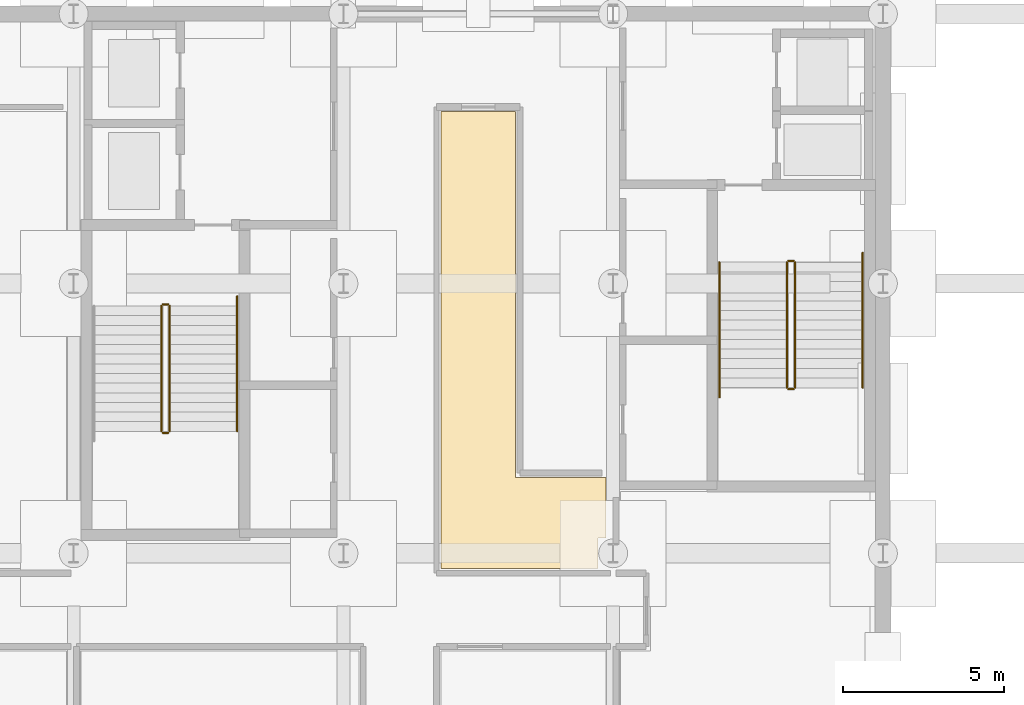
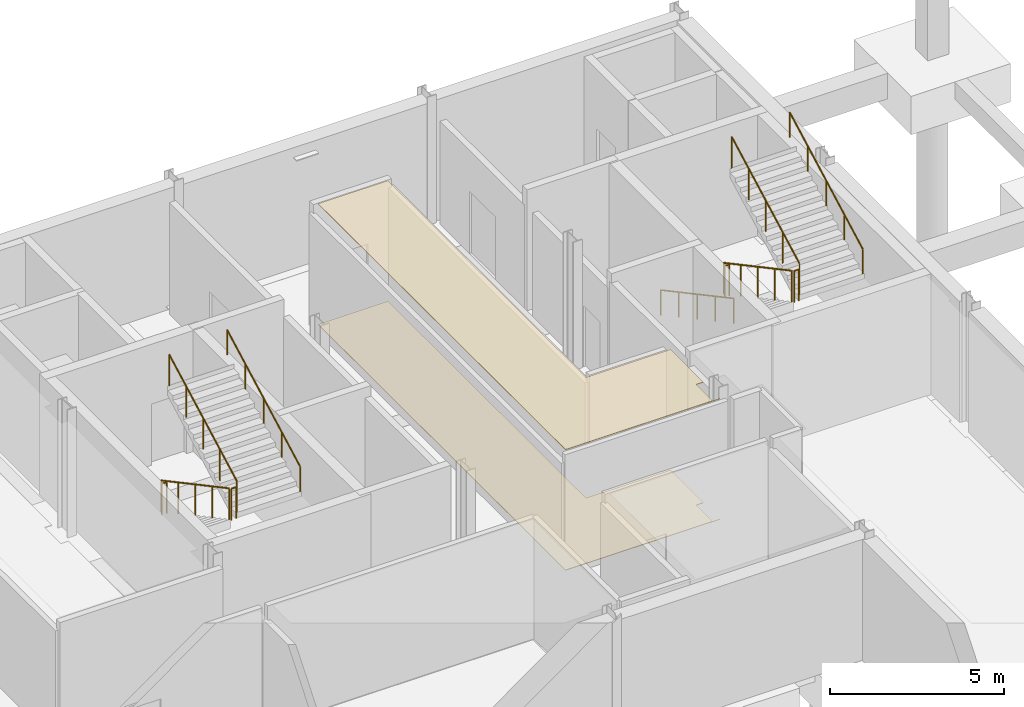
# One storey, part 42 of 43: 11 railings, 2 coverings.
"""IFC4 building model written with IfcOpenShell, lengths in metres."""

from ifc_helpers import new_model, si_unit, direction, frame, origin, origin_2d, place, context, subcontext, project, spatial, polyline, circle, outline, extrude, material, layer, layer_set, type_object, element, save


model = new_model("IFC4")

# Units and contexts
model_context = context("Model", 3, precision=1e-05, world=origin(), true_north=direction((0.0, 1.0)))
body_context = subcontext(model_context, "Body", "Model", "MODEL_VIEW")
ifc_project = project(units=[si_unit("LENGTHUNIT", "METRE"), si_unit("AREAUNIT", "SQUARE_METRE"), si_unit("VOLUMEUNIT", "CUBIC_METRE"), si_unit("PLANEANGLEUNIT", "RADIAN"), si_unit("MASSUNIT", "GRAM", prefix="KILO")], contexts=[model_context])

# Site, building, storey
site_placement = place(None, origin())
site = spatial("IfcSite", under=ifc_project, at=site_placement, CompositionType="ELEMENT")
building_placement = place(site_placement, origin())
building = spatial("IfcBuilding", under=site, at=building_placement, Name="Mersafa Astral City Hall", CompositionType="ELEMENT")
storey_placement = place(building_placement, frame((0.0, 0.0, -4.5)))
storey = spatial("IfcBuildingStorey", under=building, at=storey_placement, Name="B1", CompositionType="ELEMENT", Elevation=-4.5)

# Railings
ifc_material_1 = material(Name="Painted architectural steel stair guard balustrade", Category="steel")
railing_type_1 = type_object("IfcRailingType", Name="GUARD-RAIL", PredefinedType="BALUSTRADE", material=ifc_material_1)
railing_1_placement = place(storey_placement, frame((153.929931640625, 116.89990234375, 0.16064453125)))
element("IfcRailing", 1, at=railing_1_placement, inside=storey, type_object=railing_type_1, Name="B1 ST1 stair guard 1", PredefinedType="BALUSTRADE", context=body_context, shape_type="SweptSolid", body=[
    extrude(circle(Radius=0.02392578125, at=origin_2d()), frame((0.0, 0.0, 1.09619140625), z_axis=(0.0, -0.881468485026, 0.472242850561), x_axis=(1.0, 0.0, 0.0)), (0.0, 0.0, 1.0), 4.42431640625),
    extrude(circle(Radius=0.02099609375, at=origin_2d()), origin(), (0.0, 0.0, 1.0), 1.072021484375),
    extrude(circle(Radius=0.02099609375, at=origin_2d()), frame((0.0, -0.97509765625, 0.5224609375)), (0.0, 0.0, 1.0), 1.072021484375),
    extrude(circle(Radius=0.02099609375, at=origin_2d()), frame((0.0, -1.949951171875, 1.044677734375)), (0.0, 0.0, 1.0), 1.072021484375),
    extrude(circle(Radius=0.02099609375, at=origin_2d()), frame((0.0, -2.9248046875, 1.56689453125)), (0.0, 0.0, 1.0), 1.072021484375),
    extrude(circle(Radius=0.02099609375, at=origin_2d()), frame((0.0, -3.89990234375, 2.08935546875)), (0.0, 0.0, 1.0), 1.072021484375),
])
railing_2_placement = place(storey_placement, frame((153.97998046875, 112.949951171875, 2.25)))
element("IfcRailing", 2, at=railing_2_placement, inside=storey, type_object=railing_type_1, Name="B1 ST1 stair guard 2", PredefinedType="BALUSTRADE", context=body_context, shape_type="SweptSolid", body=[
    extrude(circle(Radius=0.02392578125, at=origin_2d()), frame((0.0, 0.0, 1.09619140625), z_axis=(1.0, 0.0, 0.0), x_axis=(0.0, 1.0, 0.0)), (0.0, 0.0, 1.0), 0.159912109375),
    extrude(circle(Radius=0.02099609375, at=origin_2d()), origin(), (0.0, 0.0, 1.0), 1.072021484375),
    extrude(circle(Radius=0.02099609375, at=origin_2d()), frame((0.159912109375, 0.0, 0.0)), (0.0, 0.0, 1.0), 1.072021484375),
])
railing_3_placement = place(storey_placement, frame((154.18994140625, 113.0, 2.41064453125)))
element("IfcRailing", 3, at=railing_3_placement, inside=storey, type_object=railing_type_1, Name="B1 ST1 stair guard 3", PredefinedType="BALUSTRADE", context=body_context, shape_type="SweptSolid", body=[
    extrude(circle(Radius=0.02392578125, at=origin_2d()), frame((0.0, 0.0, 1.09619140625), z_axis=(0.0, 0.881468485026, 0.472242850561), x_axis=(-1.0, 0.0, 0.0)), (0.0, 0.0, 1.0), 4.42431640625),
    extrude(circle(Radius=0.02099609375, at=origin_2d()), origin(), (0.0, 0.0, 1.0), 1.072021484375),
    extrude(circle(Radius=0.02099609375, at=origin_2d()), frame((0.0, 0.97509765625, 0.5224609375)), (0.0, 0.0, 1.0), 1.072021484375),
    extrude(circle(Radius=0.02099609375, at=origin_2d()), frame((0.0, 1.949951171875, 1.044677734375)), (0.0, 0.0, 1.0), 1.072021484375),
    extrude(circle(Radius=0.02099609375, at=origin_2d()), frame((0.0, 2.9248046875, 1.56689453125)), (0.0, 0.0, 1.0), 1.072021484375),
    extrude(circle(Radius=0.02099609375, at=origin_2d()), frame((0.0, 3.89990234375, 2.08935546875)), (0.0, 0.0, 1.0), 1.072021484375),
])
railing_4_placement = place(storey_placement, frame((153.97998046875, 116.949951171875, 0.0)))
element("IfcRailing", 4, at=railing_4_placement, inside=storey, type_object=railing_type_1, Name="B1 ST1 stair guard 4", PredefinedType="BALUSTRADE", context=body_context, shape_type="SweptSolid", body=[
    extrude(circle(Radius=0.02392578125, at=origin_2d()), frame((0.0, 0.0, 1.09619140625), z_axis=(1.0, 0.0, 0.0), x_axis=(0.0, 1.0, 0.0)), (0.0, 0.0, 1.0), 0.159912109375),
    extrude(circle(Radius=0.02099609375, at=origin_2d()), origin(), (0.0, 0.0, 1.0), 1.072021484375),
    extrude(circle(Radius=0.02099609375, at=origin_2d()), frame((0.159912109375, 0.0, 0.0)), (0.0, 0.0, 1.0), 1.072021484375),
])
railing_5_placement = place(storey_placement, frame((173.409912109375, 118.260009765625, 0.16064453125)))
element("IfcRailing", 5, at=railing_5_placement, inside=storey, type_object=railing_type_1, Name="B1 ST2 stair guard 1", PredefinedType="BALUSTRADE", context=body_context, shape_type="SweptSolid", body=[
    extrude(circle(Radius=0.02392578125, at=origin_2d()), frame((0.0, 0.0, 1.09619140625), z_axis=(0.0, -0.881468485026, 0.472242850561), x_axis=(1.0, 0.0, 0.0)), (0.0, 0.0, 1.0), 4.42431640625),
    extrude(circle(Radius=0.02099609375, at=origin_2d()), origin(), (0.0, 0.0, 1.0), 1.072021484375),
    extrude(circle(Radius=0.02099609375, at=origin_2d()), frame((0.0, -0.97509765625, 0.5224609375)), (0.0, 0.0, 1.0), 1.072021484375),
    extrude(circle(Radius=0.02099609375, at=origin_2d()), frame((0.0, -1.949951171875, 1.044677734375)), (0.0, 0.0, 1.0), 1.072021484375),
    extrude(circle(Radius=0.02099609375, at=origin_2d()), frame((0.0, -2.9248046875, 1.56689453125)), (0.0, 0.0, 1.0), 1.072021484375),
    extrude(circle(Radius=0.02099609375, at=origin_2d()), frame((0.0, -3.89990234375, 2.08935546875)), (0.0, 0.0, 1.0), 1.072021484375),
])
railing_6_placement = place(storey_placement, frame((173.4599609375, 114.31005859375, 2.25)))
element("IfcRailing", 6, at=railing_6_placement, inside=storey, type_object=railing_type_1, Name="B1 ST2 stair guard 2", PredefinedType="BALUSTRADE", context=body_context, shape_type="SweptSolid", body=[
    extrude(circle(Radius=0.02392578125, at=origin_2d()), frame((0.0, 0.0, 1.09619140625), z_axis=(1.0, 0.0, 0.0), x_axis=(0.0, 1.0, 0.0)), (0.0, 0.0, 1.0), 0.16015625),
    extrude(circle(Radius=0.02099609375, at=origin_2d()), origin(), (0.0, 0.0, 1.0), 1.072021484375),
    extrude(circle(Radius=0.02099609375, at=origin_2d()), frame((0.16015625, 0.0, 0.0)), (0.0, 0.0, 1.0), 1.072021484375),
])
railing_7_placement = place(storey_placement, frame((173.669921875, 114.360107421875, 2.41064453125)))
element("IfcRailing", 7, at=railing_7_placement, inside=storey, type_object=railing_type_1, Name="B1 ST2 stair guard 3", PredefinedType="BALUSTRADE", context=body_context, shape_type="SweptSolid", body=[
    extrude(circle(Radius=0.02392578125, at=origin_2d()), frame((0.0, 0.0, 1.09619140625), z_axis=(0.0, 0.881468485026, 0.472242850561), x_axis=(-1.0, 0.0, 0.0)), (0.0, 0.0, 1.0), 4.42431640625),
    extrude(circle(Radius=0.02099609375, at=origin_2d()), origin(), (0.0, 0.0, 1.0), 1.072021484375),
    extrude(circle(Radius=0.02099609375, at=origin_2d()), frame((0.0, 0.97509765625, 0.5224609375)), (0.0, 0.0, 1.0), 1.072021484375),
    extrude(circle(Radius=0.02099609375, at=origin_2d()), frame((0.0, 1.949951171875, 1.044677734375)), (0.0, 0.0, 1.0), 1.072021484375),
    extrude(circle(Radius=0.02099609375, at=origin_2d()), frame((0.0, 2.9248046875, 1.56689453125)), (0.0, 0.0, 1.0), 1.072021484375),
    extrude(circle(Radius=0.02099609375, at=origin_2d()), frame((0.0, 3.89990234375, 2.08935546875)), (0.0, 0.0, 1.0), 1.072021484375),
])
railing_8_placement = place(storey_placement, frame((173.4599609375, 118.31005859375, 0.0)))
element("IfcRailing", 8, at=railing_8_placement, inside=storey, type_object=railing_type_1, Name="B1 ST2 stair guard 4", PredefinedType="BALUSTRADE", context=body_context, shape_type="SweptSolid", body=[
    extrude(circle(Radius=0.02392578125, at=origin_2d()), frame((0.0, 0.0, 1.09619140625), z_axis=(1.0, 0.0, 0.0), x_axis=(0.0, 1.0, 0.0)), (0.0, 0.0, 1.0), 0.16015625),
    extrude(circle(Radius=0.02099609375, at=origin_2d()), origin(), (0.0, 0.0, 1.0), 1.072021484375),
    extrude(circle(Radius=0.02099609375, at=origin_2d()), frame((0.16015625, 0.0, 0.0)), (0.0, 0.0, 1.0), 1.072021484375),
])
ifc_material_2 = material(Name="Brushed stainless steel tubular handrail", Category="steel")
railing_type_2 = type_object("IfcRailingType", Name="HANDRAIL", PredefinedType="HANDRAIL", material=ifc_material_2)
railing_9_placement = place(storey_placement, frame((156.2900390625, 113.0, 2.41064453125)))
element("IfcRailing", 9, at=railing_9_placement, inside=storey, type_object=railing_type_2, Name="B1 ST1 stair handrail 2", PredefinedType="HANDRAIL", context=body_context, shape_type="SweptSolid", body=[
    extrude(circle(Radius=0.02392578125, at=origin_2d()), frame((0.0, 0.0, 0.8759765625), z_axis=(0.0, 0.881200344737, 0.472743008869), x_axis=(-1.0, 0.0, 0.0)), (0.0, 0.0, 1.0), 4.76611328125),
    extrude(circle(Radius=0.02099609375, at=origin_2d()), origin(), (0.0, 0.0, 1.0), 0.851806640625),
    extrude(circle(Radius=0.02099609375, at=origin_2d()), frame((0.0, 1.050048828125, 0.563232421875)), (0.0, 0.0, 1.0), 0.851806640625),
    extrude(circle(Radius=0.02099609375, at=origin_2d()), frame((0.0, 2.10009765625, 1.12646484375)), (0.0, 0.0, 1.0), 0.851806640625),
    extrude(circle(Radius=0.02099609375, at=origin_2d()), frame((0.0, 3.14990234375, 1.68994140625)), (0.0, 0.0, 1.0), 0.851806640625),
    extrude(circle(Radius=0.02099609375, at=origin_2d()), frame((0.0, 4.199951171875, 2.253173828125)), (0.0, 0.0, 1.0), 0.851806640625),
])
railing_10_placement = place(storey_placement, frame((171.31005859375, 118.260009765625, 0.16064453125)))
element("IfcRailing", 10, at=railing_10_placement, inside=storey, type_object=railing_type_2, Name="B1 ST2 stair handrail 1", PredefinedType="HANDRAIL", context=body_context, shape_type="SweptSolid", body=[
    extrude(circle(Radius=0.02392578125, at=origin_2d()), frame((0.0, 0.0, 0.8759765625), z_axis=(0.0, -0.881200344737, 0.472743008869), x_axis=(1.0, 0.0, 0.0)), (0.0, 0.0, 1.0), 4.76611328125),
    extrude(circle(Radius=0.02099609375, at=origin_2d()), origin(), (0.0, 0.0, 1.0), 0.851806640625),
    extrude(circle(Radius=0.02099609375, at=origin_2d()), frame((0.0, -1.050048828125, 0.563232421875)), (0.0, 0.0, 1.0), 0.851806640625),
    extrude(circle(Radius=0.02099609375, at=origin_2d()), frame((0.0, -2.10009765625, 1.12646484375)), (0.0, 0.0, 1.0), 0.851806640625),
    extrude(circle(Radius=0.02099609375, at=origin_2d()), frame((0.0, -3.14990234375, 1.68994140625)), (0.0, 0.0, 1.0), 0.851806640625),
    extrude(circle(Radius=0.02099609375, at=origin_2d()), frame((0.0, -4.199951171875, 2.253173828125)), (0.0, 0.0, 1.0), 0.851806640625),
])
railing_11_placement = place(storey_placement, frame((175.77001953125, 114.360107421875, 2.41064453125)))
element("IfcRailing", 11, at=railing_11_placement, inside=storey, type_object=railing_type_2, Name="B1 ST2 stair handrail 2", PredefinedType="HANDRAIL", context=body_context, shape_type="SweptSolid", body=[
    extrude(circle(Radius=0.02392578125, at=origin_2d()), frame((0.0, 0.0, 0.8759765625), z_axis=(0.0, 0.881200344737, 0.472743008869), x_axis=(-1.0, 0.0, 0.0)), (0.0, 0.0, 1.0), 4.76611328125),
    extrude(circle(Radius=0.02099609375, at=origin_2d()), origin(), (0.0, 0.0, 1.0), 0.851806640625),
    extrude(circle(Radius=0.02099609375, at=origin_2d()), frame((0.0, 1.050048828125, 0.563232421875)), (0.0, 0.0, 1.0), 0.851806640625),
    extrude(circle(Radius=0.02099609375, at=origin_2d()), frame((0.0, 2.10009765625, 1.12646484375)), (0.0, 0.0, 1.0), 0.851806640625),
    extrude(circle(Radius=0.02099609375, at=origin_2d()), frame((0.0, 3.14990234375, 1.68994140625)), (0.0, 0.0, 1.0), 0.851806640625),
    extrude(circle(Radius=0.02099609375, at=origin_2d()), frame((0.0, 4.199951171875, 2.253173828125)), (0.0, 0.0, 1.0), 0.851806640625),
])

# Coverings
ifc_material_3 = material(Name="Perforated acoustic gypsum board ceiling", Category="gypsum")
ifc_layer_1 = layer(ifc_material_3, 0.02490234375, Name="Perforated acoustic gypsum board ceiling")
ifc_layer_set_1 = layer_set([ifc_layer_1], Name="Perforated acoustic gypsum board ceiling — INT-COV-CEIL-25")
covering_type_1 = type_object("IfcCoveringType", Name="INT-COV-CEIL-25", PredefinedType="CEILING", material=ifc_layer_set_1)
covering_1_placement = place(storey_placement, frame((0.0, 0.0, 4.23095703125)))
element("IfcCovering", 12, at=covering_1_placement, inside=storey, type_object=covering_type_1, Name="B1 Domestic Water Booster Room B1-20 acoustic ceiling", PredefinedType="CEILING", context=body_context, shape_type="SweptSolid", body=[
    extrude(outline(polyline([(164.9599609375, 122.9599609375), (164.9599609375, 111.56005859375), (167.77001953125, 111.56005859375), (167.77001953125, 109.669921875), (167.530029296875, 109.669921875), (167.530029296875, 108.72998046875), (167.77001953125, 108.72998046875), (167.77001953125, 108.719970703125), (162.639892578125, 108.719970703125), (162.639892578125, 122.9599609375), (164.9599609375, 122.9599609375)])), origin(), (0.0, 0.0, 1.0), 0.025146484375),
])
ifc_material_4 = material(Name="Honed Cairo limestone terrazzo flooring", Category="masonry")
ifc_layer_2 = layer(ifc_material_4, 0.02001953125, Name="Honed Cairo limestone terrazzo flooring")
ifc_layer_set_2 = layer_set([ifc_layer_2], Name="Honed Cairo limestone terrazzo flooring — INT-COV-FLR-20")
covering_type_2 = type_object("IfcCoveringType", Name="INT-COV-FLR-20", PredefinedType="FLOORING", material=ifc_layer_set_2)
covering_2_placement = place(storey_placement, frame((0.0, 0.0, -0.00146484375)))
element("IfcCovering", 13, at=covering_2_placement, inside=storey, type_object=covering_type_2, Name="B1 Domestic Water Booster Room B1-20 architectural flooring", PredefinedType="FLOORING", context=body_context, shape_type="SweptSolid", body=[
    extrude(outline(polyline([(164.9599609375, 122.9599609375), (164.9599609375, 111.56005859375), (167.77001953125, 111.56005859375), (167.77001953125, 109.669921875), (167.530029296875, 109.669921875), (167.530029296875, 108.72998046875), (167.77001953125, 108.72998046875), (167.77001953125, 108.719970703125), (162.639892578125, 108.719970703125), (162.639892578125, 122.9599609375), (164.9599609375, 122.9599609375)])), origin(), (0.0, 0.0, 1.0), 0.02001953125),
])

save(model, "model.ifc")
